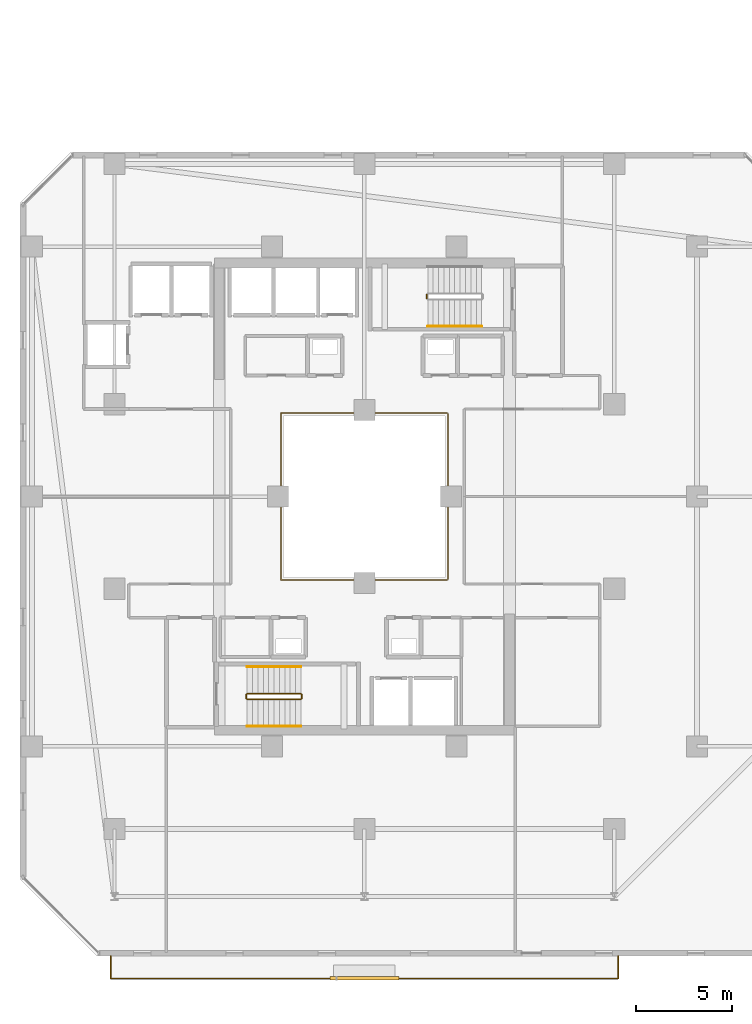
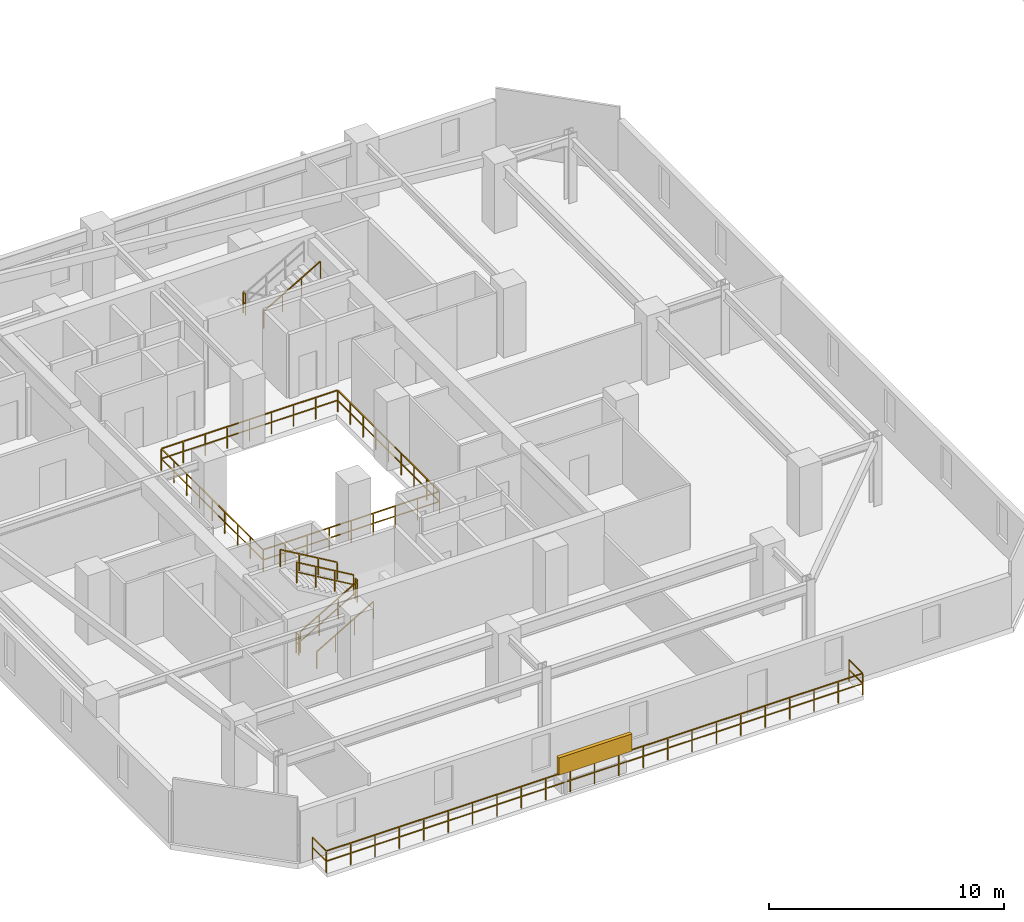
# One storey, part 29 of 32: 10 railings, 1 shading device.
"""IFC4 building model written with IfcOpenShell, lengths in metres."""

from ifc_helpers import new_model, si_unit, direction, frame, origin, origin_2d, place, context, subcontext, project, spatial, rectangle, extrude, material, type_object, element, save


model = new_model("IFC4")

# Units and contexts
model_context = context("Model", 3, precision=1e-05, world=origin(), true_north=direction((0.0, 1.0)))
body_context = subcontext(model_context, "Body", "Model", "MODEL_VIEW")
ifc_project = project(units=[si_unit("LENGTHUNIT", "METRE"), si_unit("AREAUNIT", "SQUARE_METRE"), si_unit("VOLUMEUNIT", "CUBIC_METRE"), si_unit("PLANEANGLEUNIT", "RADIAN"), si_unit("MASSUNIT", "GRAM", prefix="KILO")], contexts=[model_context])

# Site, building, storey
site_placement = place(None, origin())
site = spatial("IfcSite", under=ifc_project, at=site_placement, CompositionType="ELEMENT")
building_placement = place(site_placement, origin())
building = spatial("IfcBuilding", under=site, at=building_placement, Name="Thornwick Lancets Civic Towers", CompositionType="ELEMENT")
storey_placement = place(building_placement, frame((0.0, 0.0, 152.699951171875)))
storey = spatial("IfcBuildingStorey", under=building, at=storey_placement, Name="L40", CompositionType="ELEMENT", Elevation=152.699951171875)

# Railings
ifc_material_1 = material(Name="Laminated glass and bronze steel S355", Category="steel")
railing_type_1 = type_object("IfcRailingType", Name="RAIL_ATRIUM_GUARD", PredefinedType="BALUSTRADE", material=ifc_material_1)
railing_1_placement = place(storey_placement, frame((21.159912109375, 22.659912109375, 0.0)))
element("IfcRailing", 1, at=railing_1_placement, inside=storey, type_object=railing_type_1, Name="L40 Tower A Central Atrium Guard Balustrade", PredefinedType="BALUSTRADE", context=body_context, shape_type="SweptSolid", body=[
    extrude(rectangle(XDim=0.048095703125, YDim=0.048095703125, at=origin_2d()), frame((0.0, 0.0, 1.1259765625), z_axis=(1.0, 0.0, 0.0), x_axis=(0.0, 1.0, 0.0)), (0.0, 0.0, 1.0), 8.64892578125),
    extrude(rectangle(XDim=0.0419921875, YDim=0.0419921875, at=origin_2d()), frame((0.03759765625, 0.0, 0.597900390625), z_axis=(1.0, 0.0, 0.0), x_axis=(0.0, 1.0, 0.0)), (0.0, 0.0, 1.0), 1.010009765625),
    extrude(rectangle(XDim=0.0419921875, YDim=0.0419921875, at=origin_2d()), frame((1.12255859375, 0.0, 0.597900390625), z_axis=(1.0, 0.0, 0.0), x_axis=(0.0, 1.0, 0.0)), (0.0, 0.0, 1.0), 1.010009765625),
    extrude(rectangle(XDim=0.0419921875, YDim=0.0419921875, at=origin_2d()), frame((2.20751953125, 0.0, 0.597900390625), z_axis=(1.0, 0.0, 0.0), x_axis=(0.0, 1.0, 0.0)), (0.0, 0.0, 1.0), 1.010009765625),
    extrude(rectangle(XDim=0.0419921875, YDim=0.0419921875, at=origin_2d()), frame((3.29248046875, 0.0, 0.597900390625), z_axis=(1.0, 0.0, 0.0), x_axis=(0.0, 1.0, 0.0)), (0.0, 0.0, 1.0), 1.010009765625),
    extrude(rectangle(XDim=0.0419921875, YDim=0.0419921875, at=origin_2d()), frame((4.377685546875, 0.0, 0.597900390625), z_axis=(1.0, 0.0, 0.0), x_axis=(0.0, 1.0, 0.0)), (0.0, 0.0, 1.0), 1.010009765625),
    extrude(rectangle(XDim=0.0419921875, YDim=0.0419921875, at=origin_2d()), frame((5.462646484375, 0.0, 0.597900390625), z_axis=(1.0, 0.0, 0.0), x_axis=(0.0, 1.0, 0.0)), (0.0, 0.0, 1.0), 1.010009765625),
    extrude(rectangle(XDim=0.0419921875, YDim=0.0419921875, at=origin_2d()), frame((6.547607421875, 0.0, 0.597900390625), z_axis=(1.0, 0.0, 0.0), x_axis=(0.0, 1.0, 0.0)), (0.0, 0.0, 1.0), 1.010009765625),
    extrude(rectangle(XDim=0.0419921875, YDim=0.0419921875, at=origin_2d()), frame((7.632568359375, 0.0, 0.597900390625), z_axis=(1.0, 0.0, 0.0), x_axis=(0.0, 1.0, 0.0)), (0.0, 0.0, 1.0), 1.010009765625),
    extrude(rectangle(XDim=0.048095703125, YDim=0.048095703125, at=origin_2d()), frame((8.68017578125, 0.03125, 1.1259765625), z_axis=(0.0, 1.0, 0.0), x_axis=(-1.0, 0.0, 0.0)), (0.0, 0.0, 1.0), 8.61767578125),
    extrude(rectangle(XDim=0.0419921875, YDim=0.0419921875, at=origin_2d()), frame((8.68017578125, 0.03759765625, 0.597900390625), z_axis=(0.0, 1.0, 0.0), x_axis=(-1.0, 0.0, 0.0)), (0.0, 0.0, 1.0), 1.010009765625),
    extrude(rectangle(XDim=0.0419921875, YDim=0.0419921875, at=origin_2d()), frame((8.68017578125, 1.12255859375, 0.597900390625), z_axis=(0.0, 1.0, 0.0), x_axis=(-1.0, 0.0, 0.0)), (0.0, 0.0, 1.0), 1.010009765625),
    extrude(rectangle(XDim=0.0419921875, YDim=0.0419921875, at=origin_2d()), frame((8.68017578125, 2.20751953125, 0.597900390625), z_axis=(0.0, 1.0, 0.0), x_axis=(-1.0, 0.0, 0.0)), (0.0, 0.0, 1.0), 1.010009765625),
    extrude(rectangle(XDim=0.0419921875, YDim=0.0419921875, at=origin_2d()), frame((8.68017578125, 3.29248046875, 0.597900390625), z_axis=(0.0, 1.0, 0.0), x_axis=(-1.0, 0.0, 0.0)), (0.0, 0.0, 1.0), 1.010009765625),
    extrude(rectangle(XDim=0.0419921875, YDim=0.0419921875, at=origin_2d()), frame((8.68017578125, 4.377685546875, 0.597900390625), z_axis=(0.0, 1.0, 0.0), x_axis=(-1.0, 0.0, 0.0)), (0.0, 0.0, 1.0), 1.010009765625),
    extrude(rectangle(XDim=0.0419921875, YDim=0.0419921875, at=origin_2d()), frame((8.68017578125, 5.462646484375, 0.597900390625), z_axis=(0.0, 1.0, 0.0), x_axis=(-1.0, 0.0, 0.0)), (0.0, 0.0, 1.0), 1.010009765625),
    extrude(rectangle(XDim=0.0419921875, YDim=0.0419921875, at=origin_2d()), frame((8.68017578125, 6.547607421875, 0.597900390625), z_axis=(0.0, 1.0, 0.0), x_axis=(-1.0, 0.0, 0.0)), (0.0, 0.0, 1.0), 1.010009765625),
    extrude(rectangle(XDim=0.0419921875, YDim=0.0419921875, at=origin_2d()), frame((8.68017578125, 7.632568359375, 0.597900390625), z_axis=(0.0, 1.0, 0.0), x_axis=(-1.0, 0.0, 0.0)), (0.0, 0.0, 1.0), 1.010009765625),
    extrude(rectangle(XDim=0.048095703125, YDim=0.048095703125, at=origin_2d()), frame((8.64892578125, 8.68017578125, 1.1259765625), z_axis=(-1.0, 0.0, 0.0), x_axis=(0.0, -1.0, 0.0)), (0.0, 0.0, 1.0), 8.61767578125),
    extrude(rectangle(XDim=0.0419921875, YDim=0.0419921875, at=origin_2d()), frame((8.642578125, 8.68017578125, 0.597900390625), z_axis=(-1.0, 0.0, 0.0), x_axis=(0.0, -1.0, 0.0)), (0.0, 0.0, 1.0), 1.010009765625),
    extrude(rectangle(XDim=0.0419921875, YDim=0.0419921875, at=origin_2d()), frame((7.5576171875, 8.68017578125, 0.597900390625), z_axis=(-1.0, 0.0, 0.0), x_axis=(0.0, -1.0, 0.0)), (0.0, 0.0, 1.0), 1.010009765625),
    extrude(rectangle(XDim=0.0419921875, YDim=0.0419921875, at=origin_2d()), frame((6.47265625, 8.68017578125, 0.597900390625), z_axis=(-1.0, 0.0, 0.0), x_axis=(0.0, -1.0, 0.0)), (0.0, 0.0, 1.0), 1.010009765625),
    extrude(rectangle(XDim=0.0419921875, YDim=0.0419921875, at=origin_2d()), frame((5.3876953125, 8.68017578125, 0.597900390625), z_axis=(-1.0, 0.0, 0.0), x_axis=(0.0, -1.0, 0.0)), (0.0, 0.0, 1.0), 1.010009765625),
    extrude(rectangle(XDim=0.0419921875, YDim=0.0419921875, at=origin_2d()), frame((4.302490234375, 8.68017578125, 0.597900390625), z_axis=(-1.0, 0.0, 0.0), x_axis=(0.0, -1.0, 0.0)), (0.0, 0.0, 1.0), 1.010009765625),
    extrude(rectangle(XDim=0.0419921875, YDim=0.0419921875, at=origin_2d()), frame((3.217529296875, 8.68017578125, 0.597900390625), z_axis=(-1.0, 0.0, 0.0), x_axis=(0.0, -1.0, 0.0)), (0.0, 0.0, 1.0), 1.010009765625),
    extrude(rectangle(XDim=0.0419921875, YDim=0.0419921875, at=origin_2d()), frame((2.132568359375, 8.68017578125, 0.597900390625), z_axis=(-1.0, 0.0, 0.0), x_axis=(0.0, -1.0, 0.0)), (0.0, 0.0, 1.0), 1.010009765625),
    extrude(rectangle(XDim=0.0419921875, YDim=0.0419921875, at=origin_2d()), frame((1.047607421875, 8.68017578125, 0.597900390625), z_axis=(-1.0, 0.0, 0.0), x_axis=(0.0, -1.0, 0.0)), (0.0, 0.0, 1.0), 1.010009765625),
    extrude(rectangle(XDim=0.048095703125, YDim=0.048095703125, at=origin_2d()), frame((0.0, 8.64892578125, 1.1259765625), z_axis=(0.0, -1.0, 0.0), x_axis=(1.0, 0.0, 0.0)), (0.0, 0.0, 1.0), 8.64892578125),
    extrude(rectangle(XDim=0.0419921875, YDim=0.0419921875, at=origin_2d()), frame((0.0, 8.642578125, 0.597900390625), z_axis=(0.0, -1.0, 0.0), x_axis=(1.0, 0.0, 0.0)), (0.0, 0.0, 1.0), 1.010009765625),
    extrude(rectangle(XDim=0.0419921875, YDim=0.0419921875, at=origin_2d()), frame((0.0, 7.5576171875, 0.597900390625), z_axis=(0.0, -1.0, 0.0), x_axis=(1.0, 0.0, 0.0)), (0.0, 0.0, 1.0), 1.010009765625),
    extrude(rectangle(XDim=0.0419921875, YDim=0.0419921875, at=origin_2d()), frame((0.0, 6.47265625, 0.597900390625), z_axis=(0.0, -1.0, 0.0), x_axis=(1.0, 0.0, 0.0)), (0.0, 0.0, 1.0), 1.010009765625),
    extrude(rectangle(XDim=0.0419921875, YDim=0.0419921875, at=origin_2d()), frame((0.0, 5.3876953125, 0.597900390625), z_axis=(0.0, -1.0, 0.0), x_axis=(1.0, 0.0, 0.0)), (0.0, 0.0, 1.0), 1.010009765625),
    extrude(rectangle(XDim=0.0419921875, YDim=0.0419921875, at=origin_2d()), frame((0.0, 4.302490234375, 0.597900390625), z_axis=(0.0, -1.0, 0.0), x_axis=(1.0, 0.0, 0.0)), (0.0, 0.0, 1.0), 1.010009765625),
    extrude(rectangle(XDim=0.0419921875, YDim=0.0419921875, at=origin_2d()), frame((0.0, 3.217529296875, 0.597900390625), z_axis=(0.0, -1.0, 0.0), x_axis=(1.0, 0.0, 0.0)), (0.0, 0.0, 1.0), 1.010009765625),
    extrude(rectangle(XDim=0.0419921875, YDim=0.0419921875, at=origin_2d()), frame((0.0, 2.132568359375, 0.597900390625), z_axis=(0.0, -1.0, 0.0), x_axis=(1.0, 0.0, 0.0)), (0.0, 0.0, 1.0), 1.010009765625),
    extrude(rectangle(XDim=0.0419921875, YDim=0.0419921875, at=origin_2d()), frame((0.0, 1.047607421875, 0.597900390625), z_axis=(0.0, -1.0, 0.0), x_axis=(1.0, 0.0, 0.0)), (0.0, 0.0, 1.0), 1.010009765625),
    extrude(rectangle(XDim=0.0419921875, YDim=0.0419921875, at=origin_2d()), origin(), (0.0, 0.0, 1.0), 1.095703125),
    extrude(rectangle(XDim=0.0419921875, YDim=0.0419921875, at=origin_2d()), frame((1.0849609375, 0.0, 0.0)), (0.0, 0.0, 1.0), 1.095703125),
    extrude(rectangle(XDim=0.0419921875, YDim=0.0419921875, at=origin_2d()), frame((2.169921875, 0.0, 0.0)), (0.0, 0.0, 1.0), 1.095703125),
    extrude(rectangle(XDim=0.0419921875, YDim=0.0419921875, at=origin_2d()), frame((3.255126953125, 0.0, 0.0)), (0.0, 0.0, 1.0), 1.095703125),
    extrude(rectangle(XDim=0.0419921875, YDim=0.0419921875, at=origin_2d()), frame((4.340087890625, 0.0, 0.0)), (0.0, 0.0, 1.0), 1.095703125),
    extrude(rectangle(XDim=0.0419921875, YDim=0.0419921875, at=origin_2d()), frame((5.425048828125, 0.0, 0.0)), (0.0, 0.0, 1.0), 1.095703125),
    extrude(rectangle(XDim=0.0419921875, YDim=0.0419921875, at=origin_2d()), frame((6.51025390625, 0.0, 0.0)), (0.0, 0.0, 1.0), 1.095703125),
    extrude(rectangle(XDim=0.0419921875, YDim=0.0419921875, at=origin_2d()), frame((7.59521484375, 0.0, 0.0)), (0.0, 0.0, 1.0), 1.095703125),
    extrude(rectangle(XDim=0.0419921875, YDim=0.0419921875, at=origin_2d()), frame((8.68017578125, 0.0, 0.0)), (0.0, 0.0, 1.0), 1.095703125),
    extrude(rectangle(XDim=0.0419921875, YDim=0.0419921875, at=origin_2d()), frame((8.68017578125, 1.0849609375, 0.0)), (0.0, 0.0, 1.0), 1.095703125),
    extrude(rectangle(XDim=0.0419921875, YDim=0.0419921875, at=origin_2d()), frame((8.68017578125, 2.169921875, 0.0)), (0.0, 0.0, 1.0), 1.095703125),
    extrude(rectangle(XDim=0.0419921875, YDim=0.0419921875, at=origin_2d()), frame((8.68017578125, 3.255126953125, 0.0)), (0.0, 0.0, 1.0), 1.095703125),
    extrude(rectangle(XDim=0.0419921875, YDim=0.0419921875, at=origin_2d()), frame((8.68017578125, 4.340087890625, 0.0)), (0.0, 0.0, 1.0), 1.095703125),
    extrude(rectangle(XDim=0.0419921875, YDim=0.0419921875, at=origin_2d()), frame((8.68017578125, 5.425048828125, 0.0)), (0.0, 0.0, 1.0), 1.095703125),
    extrude(rectangle(XDim=0.0419921875, YDim=0.0419921875, at=origin_2d()), frame((8.68017578125, 6.51025390625, 0.0)), (0.0, 0.0, 1.0), 1.095703125),
    extrude(rectangle(XDim=0.0419921875, YDim=0.0419921875, at=origin_2d()), frame((8.68017578125, 7.59521484375, 0.0)), (0.0, 0.0, 1.0), 1.095703125),
    extrude(rectangle(XDim=0.0419921875, YDim=0.0419921875, at=origin_2d()), frame((8.68017578125, 8.68017578125, 0.0)), (0.0, 0.0, 1.0), 1.095703125),
    extrude(rectangle(XDim=0.0419921875, YDim=0.0419921875, at=origin_2d()), frame((7.59521484375, 8.68017578125, 0.0)), (0.0, 0.0, 1.0), 1.095703125),
    extrude(rectangle(XDim=0.0419921875, YDim=0.0419921875, at=origin_2d()), frame((6.51025390625, 8.68017578125, 0.0)), (0.0, 0.0, 1.0), 1.095703125),
    extrude(rectangle(XDim=0.0419921875, YDim=0.0419921875, at=origin_2d()), frame((5.425048828125, 8.68017578125, 0.0)), (0.0, 0.0, 1.0), 1.095703125),
    extrude(rectangle(XDim=0.0419921875, YDim=0.0419921875, at=origin_2d()), frame((4.340087890625, 8.68017578125, 0.0)), (0.0, 0.0, 1.0), 1.095703125),
    extrude(rectangle(XDim=0.0419921875, YDim=0.0419921875, at=origin_2d()), frame((3.255126953125, 8.68017578125, 0.0)), (0.0, 0.0, 1.0), 1.095703125),
    extrude(rectangle(XDim=0.0419921875, YDim=0.0419921875, at=origin_2d()), frame((2.169921875, 8.68017578125, 0.0)), (0.0, 0.0, 1.0), 1.095703125),
    extrude(rectangle(XDim=0.0419921875, YDim=0.0419921875, at=origin_2d()), frame((1.0849609375, 8.68017578125, 0.0)), (0.0, 0.0, 1.0), 1.095703125),
    extrude(rectangle(XDim=0.0419921875, YDim=0.0419921875, at=origin_2d()), frame((0.0, 8.68017578125, 0.0)), (0.0, 0.0, 1.0), 1.095703125),
    extrude(rectangle(XDim=0.0419921875, YDim=0.0419921875, at=origin_2d()), frame((0.0, 7.59521484375, 0.0)), (0.0, 0.0, 1.0), 1.095703125),
    extrude(rectangle(XDim=0.0419921875, YDim=0.0419921875, at=origin_2d()), frame((0.0, 6.51025390625, 0.0)), (0.0, 0.0, 1.0), 1.095703125),
    extrude(rectangle(XDim=0.0419921875, YDim=0.0419921875, at=origin_2d()), frame((0.0, 5.425048828125, 0.0)), (0.0, 0.0, 1.0), 1.095703125),
    extrude(rectangle(XDim=0.0419921875, YDim=0.0419921875, at=origin_2d()), frame((0.0, 4.340087890625, 0.0)), (0.0, 0.0, 1.0), 1.095703125),
    extrude(rectangle(XDim=0.0419921875, YDim=0.0419921875, at=origin_2d()), frame((0.0, 3.255126953125, 0.0)), (0.0, 0.0, 1.0), 1.095703125),
    extrude(rectangle(XDim=0.0419921875, YDim=0.0419921875, at=origin_2d()), frame((0.0, 2.169921875, 0.0)), (0.0, 0.0, 1.0), 1.095703125),
    extrude(rectangle(XDim=0.0419921875, YDim=0.0419921875, at=origin_2d()), frame((0.0, 1.0849609375, 0.0)), (0.0, 0.0, 1.0), 1.095703125),
])
ifc_material_2 = material(Name="Brushed stainless steel S355", Category="steel")
railing_type_2 = type_object("IfcRailingType", Name="RAIL_HANDRAIL", PredefinedType="HANDRAIL", material=ifc_material_2)
railing_2_placement = place(storey_placement, frame((19.39990234375, 15.050048828125, 0.16357421875)))
element("IfcRailing", 2, at=railing_2_placement, inside=storey, type_object=railing_type_2, Name="L40 ST-A1 stair handrail 1", PredefinedType="HANDRAIL", context=body_context, shape_type="SweptSolid", body=[
    extrude(rectangle(XDim=0.048095703125, YDim=0.048095703125, at=origin_2d()), frame((0.0, 0.0, 0.8857421875), z_axis=(0.863360870873, 0.0, 0.504586966384), x_axis=(0.0, 1.0, 0.0)), (0.0, 0.0, 1.0), 3.2431640625),
    extrude(rectangle(XDim=0.0419921875, YDim=0.0419921875, at=origin_2d()), origin(), (0.0, 0.0, 1.0), 0.855712890625),
    extrude(rectangle(XDim=0.0419921875, YDim=0.0419921875, at=origin_2d()), frame((0.933349609375, 0.0, 0.54541015625)), (0.0, 0.0, 1.0), 0.855712890625),
    extrude(rectangle(XDim=0.0419921875, YDim=0.0419921875, at=origin_2d()), frame((1.86669921875, 0.0, 1.091064453125)), (0.0, 0.0, 1.0), 0.855712890625),
    extrude(rectangle(XDim=0.0419921875, YDim=0.0419921875, at=origin_2d()), frame((2.800048828125, 0.0, 1.636474609375)), (0.0, 0.0, 1.0), 0.855712890625),
])
railing_3_placement = place(storey_placement, frame((22.199951171875, 18.14990234375, 1.963623046875)))
element("IfcRailing", 3, at=railing_3_placement, inside=storey, type_object=railing_type_2, Name="L40 ST-A1 stair handrail 2", PredefinedType="HANDRAIL", context=body_context, shape_type="SweptSolid", body=[
    extrude(rectangle(XDim=0.048095703125, YDim=0.048095703125, at=origin_2d()), frame((0.0, 0.0, 0.8857421875), z_axis=(-0.863360870873, 0.0, 0.504586966384), x_axis=(0.0, -1.0, 0.0)), (0.0, 0.0, 1.0), 3.2431640625),
    extrude(rectangle(XDim=0.0419921875, YDim=0.0419921875, at=origin_2d()), origin(), (0.0, 0.0, 1.0), 0.855712890625),
    extrude(rectangle(XDim=0.0419921875, YDim=0.0419921875, at=origin_2d()), frame((-0.933349609375, 0.0, 0.54541015625)), (0.0, 0.0, 1.0), 0.855712890625),
    extrude(rectangle(XDim=0.0419921875, YDim=0.0419921875, at=origin_2d()), frame((-1.86669921875, 0.0, 1.091064453125)), (0.0, 0.0, 1.0), 0.855712890625),
    extrude(rectangle(XDim=0.0419921875, YDim=0.0419921875, at=origin_2d()), frame((-2.800048828125, 0.0, 1.636474609375)), (0.0, 0.0, 1.0), 0.855712890625),
])
railing_4_placement = place(storey_placement, frame((28.800048828125, 35.85009765625, 1.963623046875)))
element("IfcRailing", 4, at=railing_4_placement, inside=storey, type_object=railing_type_2, Name="L40 ST-A2 stair handrail 2", PredefinedType="HANDRAIL", context=body_context, shape_type="SweptSolid", body=[
    extrude(rectangle(XDim=0.048095703125, YDim=0.048095703125, at=origin_2d()), frame((0.0, 0.0, 0.8857421875), z_axis=(0.863360870873, 0.0, 0.504586966384), x_axis=(0.0, 1.0, 0.0)), (0.0, 0.0, 1.0), 3.2431640625),
    extrude(rectangle(XDim=0.0419921875, YDim=0.0419921875, at=origin_2d()), origin(), (0.0, 0.0, 1.0), 0.855712890625),
    extrude(rectangle(XDim=0.0419921875, YDim=0.0419921875, at=origin_2d()), frame((0.933349609375, 0.0, 0.54541015625)), (0.0, 0.0, 1.0), 0.855712890625),
    extrude(rectangle(XDim=0.0419921875, YDim=0.0419921875, at=origin_2d()), frame((1.86669921875, 0.0, 1.091064453125)), (0.0, 0.0, 1.0), 0.855712890625),
    extrude(rectangle(XDim=0.0419921875, YDim=0.0419921875, at=origin_2d()), frame((2.800048828125, 0.0, 1.636474609375)), (0.0, 0.0, 1.0), 0.855712890625),
])
ifc_material_3 = material(Name="Steel S355JR", Category="steel")
railing_type_3 = type_object("IfcRailingType", Name="RAIL_STAIR_GUARD", PredefinedType="GUARDRAIL", material=ifc_material_3)
railing_5_placement = place(storey_placement, frame((19.39990234375, 16.449951171875, 0.16357421875)))
element("IfcRailing", 5, at=railing_5_placement, inside=storey, type_object=railing_type_3, Name="L40 ST-A1 stair guard 1", PredefinedType="GUARDRAIL", context=body_context, shape_type="SweptSolid", body=[
    extrude(rectangle(XDim=0.048095703125, YDim=0.048095703125, at=origin_2d()), frame((0.0, 0.0, 1.076171875), z_axis=(0.863360870873, 0.0, 0.504586966384), x_axis=(0.0, 1.0, 0.0)), (0.0, 0.0, 1.0), 3.2431640625),
    extrude(rectangle(XDim=0.0419921875, YDim=0.0419921875, at=origin_2d()), frame((0.032470703125, 0.0, 0.591064453125), z_axis=(0.863360870873, 0.0, 0.504586966384), x_axis=(0.0, 1.0, 0.0)), (0.0, 0.0, 1.0), 1.006103515625),
    extrude(rectangle(XDim=0.0419921875, YDim=0.0419921875, at=origin_2d()), frame((0.9658203125, 0.0, 1.136474609375), z_axis=(0.863360870873, 0.0, 0.504586966384), x_axis=(0.0, 1.0, 0.0)), (0.0, 0.0, 1.0), 1.006103515625),
    extrude(rectangle(XDim=0.0419921875, YDim=0.0419921875, at=origin_2d()), frame((1.899169921875, 0.0, 1.681884765625), z_axis=(0.863360870873, 0.0, 0.504586966384), x_axis=(0.0, 1.0, 0.0)), (0.0, 0.0, 1.0), 1.006103515625),
    extrude(rectangle(XDim=0.0419921875, YDim=0.0419921875, at=origin_2d()), origin(), (0.0, 0.0, 1.0), 1.0458984375),
    extrude(rectangle(XDim=0.0419921875, YDim=0.0419921875, at=origin_2d()), frame((0.933349609375, 0.0, 0.54541015625)), (0.0, 0.0, 1.0), 1.0458984375),
    extrude(rectangle(XDim=0.0419921875, YDim=0.0419921875, at=origin_2d()), frame((1.86669921875, 0.0, 1.091064453125)), (0.0, 0.0, 1.0), 1.0458984375),
    extrude(rectangle(XDim=0.0419921875, YDim=0.0419921875, at=origin_2d()), frame((2.800048828125, 0.0, 1.636474609375)), (0.0, 0.0, 1.0), 1.0458984375),
])
railing_6_placement = place(storey_placement, frame((22.25, 16.5, 1.800048828125)))
element("IfcRailing", 6, at=railing_6_placement, inside=storey, type_object=railing_type_3, Name="L40 ST-A1 stair guard 2", PredefinedType="GUARDRAIL", context=body_context, shape_type="SweptSolid", body=[
    extrude(rectangle(XDim=0.048095703125, YDim=0.048095703125, at=origin_2d()), frame((0.0, 0.0, 1.076171875), z_axis=(0.0, 1.0, 0.0), x_axis=(-1.0, 0.0, 0.0)), (0.0, 0.0, 1.0), 0.199951171875),
    extrude(rectangle(XDim=0.0419921875, YDim=0.0419921875, at=origin_2d()), frame((0.0, 0.03759765625, 0.572021484375), z_axis=(0.0, 1.0, 0.0), x_axis=(-1.0, 0.0, 0.0)), (0.0, 0.0, 1.0), 0.125),
    extrude(rectangle(XDim=0.0419921875, YDim=0.0419921875, at=origin_2d()), origin(), (0.0, 0.0, 1.0), 1.0458984375),
    extrude(rectangle(XDim=0.0419921875, YDim=0.0419921875, at=origin_2d()), frame((0.0, 0.199951171875, 0.0)), (0.0, 0.0, 1.0), 1.0458984375),
])
railing_7_placement = place(storey_placement, frame((22.199951171875, 16.75, 1.963623046875)))
element("IfcRailing", 7, at=railing_7_placement, inside=storey, type_object=railing_type_3, Name="L40 ST-A1 stair guard 3", PredefinedType="GUARDRAIL", context=body_context, shape_type="SweptSolid", body=[
    extrude(rectangle(XDim=0.048095703125, YDim=0.048095703125, at=origin_2d()), frame((0.0, 0.0, 1.076171875), z_axis=(-0.863360870873, 0.0, 0.504586966384), x_axis=(0.0, -1.0, 0.0)), (0.0, 0.0, 1.0), 3.2431640625),
    extrude(rectangle(XDim=0.0419921875, YDim=0.0419921875, at=origin_2d()), frame((-0.032470703125, 0.0, 0.591064453125), z_axis=(-0.863360870873, 0.0, 0.504586966384), x_axis=(0.0, -1.0, 0.0)), (0.0, 0.0, 1.0), 1.006103515625),
    extrude(rectangle(XDim=0.0419921875, YDim=0.0419921875, at=origin_2d()), frame((-0.9658203125, 0.0, 1.136474609375), z_axis=(-0.863360870873, 0.0, 0.504586966384), x_axis=(0.0, -1.0, 0.0)), (0.0, 0.0, 1.0), 1.006103515625),
    extrude(rectangle(XDim=0.0419921875, YDim=0.0419921875, at=origin_2d()), frame((-1.899169921875, 0.0, 1.681884765625), z_axis=(-0.863360870873, 0.0, 0.504586966384), x_axis=(0.0, -1.0, 0.0)), (0.0, 0.0, 1.0), 1.006103515625),
    extrude(rectangle(XDim=0.0419921875, YDim=0.0419921875, at=origin_2d()), origin(), (0.0, 0.0, 1.0), 1.0458984375),
    extrude(rectangle(XDim=0.0419921875, YDim=0.0419921875, at=origin_2d()), frame((-0.933349609375, 0.0, 0.54541015625)), (0.0, 0.0, 1.0), 1.0458984375),
    extrude(rectangle(XDim=0.0419921875, YDim=0.0419921875, at=origin_2d()), frame((-1.86669921875, 0.0, 1.091064453125)), (0.0, 0.0, 1.0), 1.0458984375),
    extrude(rectangle(XDim=0.0419921875, YDim=0.0419921875, at=origin_2d()), frame((-2.800048828125, 0.0, 1.636474609375)), (0.0, 0.0, 1.0), 1.0458984375),
])
railing_8_placement = place(storey_placement, frame((19.35009765625, 16.5, 0.0)))
element("IfcRailing", 8, at=railing_8_placement, inside=storey, type_object=railing_type_3, Name="L40 ST-A1 stair guard 4", PredefinedType="GUARDRAIL", context=body_context, shape_type="SweptSolid", body=[
    extrude(rectangle(XDim=0.048095703125, YDim=0.048095703125, at=origin_2d()), frame((0.0, 0.0, 1.076171875), z_axis=(0.0, 1.0, 0.0), x_axis=(-1.0, 0.0, 0.0)), (0.0, 0.0, 1.0), 0.199951171875),
    extrude(rectangle(XDim=0.0419921875, YDim=0.0419921875, at=origin_2d()), frame((0.0, 0.03759765625, 0.572021484375), z_axis=(0.0, 1.0, 0.0), x_axis=(-1.0, 0.0, 0.0)), (0.0, 0.0, 1.0), 0.125),
    extrude(rectangle(XDim=0.0419921875, YDim=0.0419921875, at=origin_2d()), origin(), (0.0, 0.0, 1.0), 1.0458984375),
    extrude(rectangle(XDim=0.0419921875, YDim=0.0419921875, at=origin_2d()), frame((0.0, 0.199951171875, 0.0)), (0.0, 0.0, 1.0), 1.0458984375),
])
railing_9_placement = place(storey_placement, frame((28.75, 37.5, 1.800048828125)))
element("IfcRailing", 9, at=railing_9_placement, inside=storey, type_object=railing_type_3, Name="L40 ST-A2 stair guard 2", PredefinedType="GUARDRAIL", context=body_context, shape_type="SweptSolid", body=[
    extrude(rectangle(XDim=0.048095703125, YDim=0.048095703125, at=origin_2d()), frame((0.0, 0.0, 1.076171875), z_axis=(0.0, -1.0, 0.0), x_axis=(1.0, 0.0, 0.0)), (0.0, 0.0, 1.0), 0.199951171875),
    extrude(rectangle(XDim=0.0419921875, YDim=0.0419921875, at=origin_2d()), frame((0.0, -0.03759765625, 0.572021484375), z_axis=(0.0, -1.0, 0.0), x_axis=(1.0, 0.0, 0.0)), (0.0, 0.0, 1.0), 0.125),
    extrude(rectangle(XDim=0.0419921875, YDim=0.0419921875, at=origin_2d()), origin(), (0.0, 0.0, 1.0), 1.0458984375),
    extrude(rectangle(XDim=0.0419921875, YDim=0.0419921875, at=origin_2d()), frame((0.0, -0.199951171875, 0.0)), (0.0, 0.0, 1.0), 1.0458984375),
])
ifc_material_4 = material(Name="Terracotta-capped laminated glass balustrade S355", Category="masonry")
railing_type_4 = type_object("IfcRailingType", Name="RAIL_TERR_GUARD", PredefinedType="GUARDRAIL", material=ifc_material_4)
railing_10_placement = place(storey_placement, frame((12.300048828125, 3.10009765625, 0.0)))
element("IfcRailing", 10, at=railing_10_placement, inside=storey, type_object=railing_type_4, Name="L40 Tower A Balcony Guard S", PredefinedType="GUARDRAIL", context=body_context, shape_type="SweptSolid", body=[
    extrude(rectangle(XDim=0.048095703125, YDim=0.048095703125, at=origin_2d()), frame((0.0, 0.0, 1.1259765625), z_axis=(0.0, -1.0, 0.0), x_axis=(1.0, 0.0, 0.0)), (0.0, 0.0, 1.0), 1.138916015625),
    extrude(rectangle(XDim=0.0419921875, YDim=0.0419921875, at=origin_2d()), frame((0.0, -0.03759765625, 0.597900390625), z_axis=(0.0, -1.0, 0.0), x_axis=(1.0, 0.0, 0.0)), (0.0, 0.0, 1.0), 1.09521484375),
    extrude(rectangle(XDim=0.048095703125, YDim=0.048095703125, at=origin_2d()), frame((0.03125, -1.170166015625, 1.1259765625), z_axis=(1.0, 0.0, 0.0), x_axis=(0.0, 1.0, 0.0)), (0.0, 0.0, 1.0), 26.33740234375),
    extrude(rectangle(XDim=0.0419921875, YDim=0.0419921875, at=origin_2d()), frame((0.03759765625, -1.170166015625, 0.597900390625), z_axis=(1.0, 0.0, 0.0), x_axis=(0.0, 1.0, 0.0)), (0.0, 0.0, 1.0), 1.125),
    extrude(rectangle(XDim=0.0419921875, YDim=0.0419921875, at=origin_2d()), frame((1.237548828125, -1.170166015625, 0.597900390625), z_axis=(1.0, 0.0, 0.0), x_axis=(0.0, 1.0, 0.0)), (0.0, 0.0, 1.0), 1.125),
    extrude(rectangle(XDim=0.0419921875, YDim=0.0419921875, at=origin_2d()), frame((2.4375, -1.170166015625, 0.597900390625), z_axis=(1.0, 0.0, 0.0), x_axis=(0.0, 1.0, 0.0)), (0.0, 0.0, 1.0), 1.125),
    extrude(rectangle(XDim=0.0419921875, YDim=0.0419921875, at=origin_2d()), frame((3.637451171875, -1.170166015625, 0.597900390625), z_axis=(1.0, 0.0, 0.0), x_axis=(0.0, 1.0, 0.0)), (0.0, 0.0, 1.0), 1.125),
    extrude(rectangle(XDim=0.0419921875, YDim=0.0419921875, at=origin_2d()), frame((4.83740234375, -1.170166015625, 0.597900390625), z_axis=(1.0, 0.0, 0.0), x_axis=(0.0, 1.0, 0.0)), (0.0, 0.0, 1.0), 1.125),
    extrude(rectangle(XDim=0.0419921875, YDim=0.0419921875, at=origin_2d()), frame((6.037353515625, -1.170166015625, 0.597900390625), z_axis=(1.0, 0.0, 0.0), x_axis=(0.0, 1.0, 0.0)), (0.0, 0.0, 1.0), 1.125),
    extrude(rectangle(XDim=0.0419921875, YDim=0.0419921875, at=origin_2d()), frame((7.237548828125, -1.170166015625, 0.597900390625), z_axis=(1.0, 0.0, 0.0), x_axis=(0.0, 1.0, 0.0)), (0.0, 0.0, 1.0), 1.125),
    extrude(rectangle(XDim=0.0419921875, YDim=0.0419921875, at=origin_2d()), frame((8.4375, -1.170166015625, 0.597900390625), z_axis=(1.0, 0.0, 0.0), x_axis=(0.0, 1.0, 0.0)), (0.0, 0.0, 1.0), 1.125),
    extrude(rectangle(XDim=0.0419921875, YDim=0.0419921875, at=origin_2d()), frame((9.637451171875, -1.170166015625, 0.597900390625), z_axis=(1.0, 0.0, 0.0), x_axis=(0.0, 1.0, 0.0)), (0.0, 0.0, 1.0), 1.125),
    extrude(rectangle(XDim=0.0419921875, YDim=0.0419921875, at=origin_2d()), frame((10.83740234375, -1.170166015625, 0.597900390625), z_axis=(1.0, 0.0, 0.0), x_axis=(0.0, 1.0, 0.0)), (0.0, 0.0, 1.0), 1.125),
    extrude(rectangle(XDim=0.0419921875, YDim=0.0419921875, at=origin_2d()), frame((12.037353515625, -1.170166015625, 0.597900390625), z_axis=(1.0, 0.0, 0.0), x_axis=(0.0, 1.0, 0.0)), (0.0, 0.0, 1.0), 1.125),
    extrude(rectangle(XDim=0.0419921875, YDim=0.0419921875, at=origin_2d()), frame((13.237548828125, -1.170166015625, 0.597900390625), z_axis=(1.0, 0.0, 0.0), x_axis=(0.0, 1.0, 0.0)), (0.0, 0.0, 1.0), 1.125),
    extrude(rectangle(XDim=0.0419921875, YDim=0.0419921875, at=origin_2d()), frame((14.4375, -1.170166015625, 0.597900390625), z_axis=(1.0, 0.0, 0.0), x_axis=(0.0, 1.0, 0.0)), (0.0, 0.0, 1.0), 1.125),
    extrude(rectangle(XDim=0.0419921875, YDim=0.0419921875, at=origin_2d()), frame((15.637451171875, -1.170166015625, 0.597900390625), z_axis=(1.0, 0.0, 0.0), x_axis=(0.0, 1.0, 0.0)), (0.0, 0.0, 1.0), 1.125),
    extrude(rectangle(XDim=0.0419921875, YDim=0.0419921875, at=origin_2d()), frame((16.83740234375, -1.170166015625, 0.597900390625), z_axis=(1.0, 0.0, 0.0), x_axis=(0.0, 1.0, 0.0)), (0.0, 0.0, 1.0), 1.125),
    extrude(rectangle(XDim=0.0419921875, YDim=0.0419921875, at=origin_2d()), frame((18.037353515625, -1.170166015625, 0.597900390625), z_axis=(1.0, 0.0, 0.0), x_axis=(0.0, 1.0, 0.0)), (0.0, 0.0, 1.0), 1.125),
    extrude(rectangle(XDim=0.0419921875, YDim=0.0419921875, at=origin_2d()), frame((19.2373046875, -1.170166015625, 0.597900390625), z_axis=(1.0, 0.0, 0.0), x_axis=(0.0, 1.0, 0.0)), (0.0, 0.0, 1.0), 1.125),
    extrude(rectangle(XDim=0.0419921875, YDim=0.0419921875, at=origin_2d()), frame((20.4375, -1.170166015625, 0.597900390625), z_axis=(1.0, 0.0, 0.0), x_axis=(0.0, 1.0, 0.0)), (0.0, 0.0, 1.0), 1.125),
    extrude(rectangle(XDim=0.0419921875, YDim=0.0419921875, at=origin_2d()), frame((21.637451171875, -1.170166015625, 0.597900390625), z_axis=(1.0, 0.0, 0.0), x_axis=(0.0, 1.0, 0.0)), (0.0, 0.0, 1.0), 1.125),
    extrude(rectangle(XDim=0.0419921875, YDim=0.0419921875, at=origin_2d()), frame((22.83740234375, -1.170166015625, 0.597900390625), z_axis=(1.0, 0.0, 0.0), x_axis=(0.0, 1.0, 0.0)), (0.0, 0.0, 1.0), 1.125),
    extrude(rectangle(XDim=0.0419921875, YDim=0.0419921875, at=origin_2d()), frame((24.037353515625, -1.170166015625, 0.597900390625), z_axis=(1.0, 0.0, 0.0), x_axis=(0.0, 1.0, 0.0)), (0.0, 0.0, 1.0), 1.125),
    extrude(rectangle(XDim=0.0419921875, YDim=0.0419921875, at=origin_2d()), frame((25.2373046875, -1.170166015625, 0.597900390625), z_axis=(1.0, 0.0, 0.0), x_axis=(0.0, 1.0, 0.0)), (0.0, 0.0, 1.0), 1.125),
    extrude(rectangle(XDim=0.048095703125, YDim=0.048095703125, at=origin_2d()), frame((26.39990234375, -1.138916015625, 1.1259765625), z_axis=(0.0, 1.0, 0.0), x_axis=(-1.0, 0.0, 0.0)), (0.0, 0.0, 1.0), 1.138916015625),
    extrude(rectangle(XDim=0.0419921875, YDim=0.0419921875, at=origin_2d()), frame((26.39990234375, -1.132568359375, 0.597900390625), z_axis=(0.0, 1.0, 0.0), x_axis=(-1.0, 0.0, 0.0)), (0.0, 0.0, 1.0), 1.09521484375),
    extrude(rectangle(XDim=0.0419921875, YDim=0.0419921875, at=origin_2d()), origin(), (0.0, 0.0, 1.0), 1.095703125),
    extrude(rectangle(XDim=0.0419921875, YDim=0.0419921875, at=origin_2d()), frame((0.0, -1.170166015625, 0.0)), (0.0, 0.0, 1.0), 1.095703125),
    extrude(rectangle(XDim=0.0419921875, YDim=0.0419921875, at=origin_2d()), frame((1.199951171875, -1.170166015625, 0.0)), (0.0, 0.0, 1.0), 1.095703125),
    extrude(rectangle(XDim=0.0419921875, YDim=0.0419921875, at=origin_2d()), frame((2.39990234375, -1.170166015625, 0.0)), (0.0, 0.0, 1.0), 1.095703125),
    extrude(rectangle(XDim=0.0419921875, YDim=0.0419921875, at=origin_2d()), frame((3.60009765625, -1.170166015625, 0.0)), (0.0, 0.0, 1.0), 1.095703125),
    extrude(rectangle(XDim=0.0419921875, YDim=0.0419921875, at=origin_2d()), frame((4.800048828125, -1.170166015625, 0.0)), (0.0, 0.0, 1.0), 1.095703125),
    extrude(rectangle(XDim=0.0419921875, YDim=0.0419921875, at=origin_2d()), frame((6.0, -1.170166015625, 0.0)), (0.0, 0.0, 1.0), 1.095703125),
    extrude(rectangle(XDim=0.0419921875, YDim=0.0419921875, at=origin_2d()), frame((7.199951171875, -1.170166015625, 0.0)), (0.0, 0.0, 1.0), 1.095703125),
    extrude(rectangle(XDim=0.0419921875, YDim=0.0419921875, at=origin_2d()), frame((8.39990234375, -1.170166015625, 0.0)), (0.0, 0.0, 1.0), 1.095703125),
    extrude(rectangle(XDim=0.0419921875, YDim=0.0419921875, at=origin_2d()), frame((9.599853515625, -1.170166015625, 0.0)), (0.0, 0.0, 1.0), 1.095703125),
    extrude(rectangle(XDim=0.0419921875, YDim=0.0419921875, at=origin_2d()), frame((10.800048828125, -1.170166015625, 0.0)), (0.0, 0.0, 1.0), 1.095703125),
    extrude(rectangle(XDim=0.0419921875, YDim=0.0419921875, at=origin_2d()), frame((12.0, -1.170166015625, 0.0)), (0.0, 0.0, 1.0), 1.095703125),
    extrude(rectangle(XDim=0.0419921875, YDim=0.0419921875, at=origin_2d()), frame((13.199951171875, -1.170166015625, 0.0)), (0.0, 0.0, 1.0), 1.095703125),
    extrude(rectangle(XDim=0.0419921875, YDim=0.0419921875, at=origin_2d()), frame((14.39990234375, -1.170166015625, 0.0)), (0.0, 0.0, 1.0), 1.095703125),
    extrude(rectangle(XDim=0.0419921875, YDim=0.0419921875, at=origin_2d()), frame((15.599853515625, -1.170166015625, 0.0)), (0.0, 0.0, 1.0), 1.095703125),
    extrude(rectangle(XDim=0.0419921875, YDim=0.0419921875, at=origin_2d()), frame((16.800048828125, -1.170166015625, 0.0)), (0.0, 0.0, 1.0), 1.095703125),
    extrude(rectangle(XDim=0.0419921875, YDim=0.0419921875, at=origin_2d()), frame((18.0, -1.170166015625, 0.0)), (0.0, 0.0, 1.0), 1.095703125),
    extrude(rectangle(XDim=0.0419921875, YDim=0.0419921875, at=origin_2d()), frame((19.199951171875, -1.170166015625, 0.0)), (0.0, 0.0, 1.0), 1.095703125),
    extrude(rectangle(XDim=0.0419921875, YDim=0.0419921875, at=origin_2d()), frame((20.39990234375, -1.170166015625, 0.0)), (0.0, 0.0, 1.0), 1.095703125),
    extrude(rectangle(XDim=0.0419921875, YDim=0.0419921875, at=origin_2d()), frame((21.599853515625, -1.170166015625, 0.0)), (0.0, 0.0, 1.0), 1.095703125),
    extrude(rectangle(XDim=0.0419921875, YDim=0.0419921875, at=origin_2d()), frame((22.7998046875, -1.170166015625, 0.0)), (0.0, 0.0, 1.0), 1.095703125),
    extrude(rectangle(XDim=0.0419921875, YDim=0.0419921875, at=origin_2d()), frame((24.0, -1.170166015625, 0.0)), (0.0, 0.0, 1.0), 1.095703125),
    extrude(rectangle(XDim=0.0419921875, YDim=0.0419921875, at=origin_2d()), frame((25.199951171875, -1.170166015625, 0.0)), (0.0, 0.0, 1.0), 1.095703125),
    extrude(rectangle(XDim=0.0419921875, YDim=0.0419921875, at=origin_2d()), frame((26.39990234375, -1.170166015625, 0.0)), (0.0, 0.0, 1.0), 1.095703125),
    extrude(rectangle(XDim=0.0419921875, YDim=0.0419921875, at=origin_2d()), frame((26.39990234375, 0.0, 0.0)), (0.0, 0.0, 1.0), 1.095703125),
])

# Shading device
ifc_material_5 = material(Name="Extruded terracotta baguette solar screen", Category="masonry")
shading_device_type = type_object("IfcShadingDeviceType", Name="SHADE_BAGUETTE", PredefinedType="JALOUSIE", material=ifc_material_5)
shading_device_placement = place(storey_placement, frame((25.5, 1.93994140625, 1.1201171875), z_axis=(0.0, 0.0, 1.0), x_axis=(1.0, 0.0, 0.0)))
element("IfcShadingDevice", 11, at=shading_device_placement, inside=storey, type_object=shading_device_type, Name="L40 Tower A Terracotta Baguette Screen S", PredefinedType="JALOUSIE", context=body_context, shape_type="SweptSolid", body=[
    extrude(rectangle(XDim=3.60009765625, YDim=0.179931640625, at=origin_2d()), origin(), (0.0, 0.0, 1.0), 0.89990234375),
])

save(model, "model.ifc")
